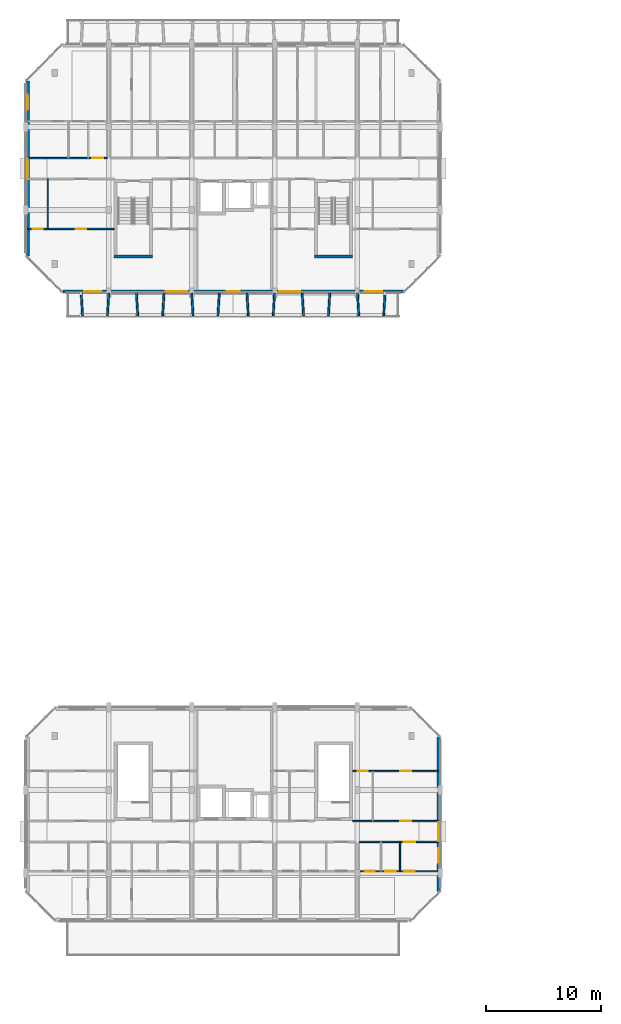
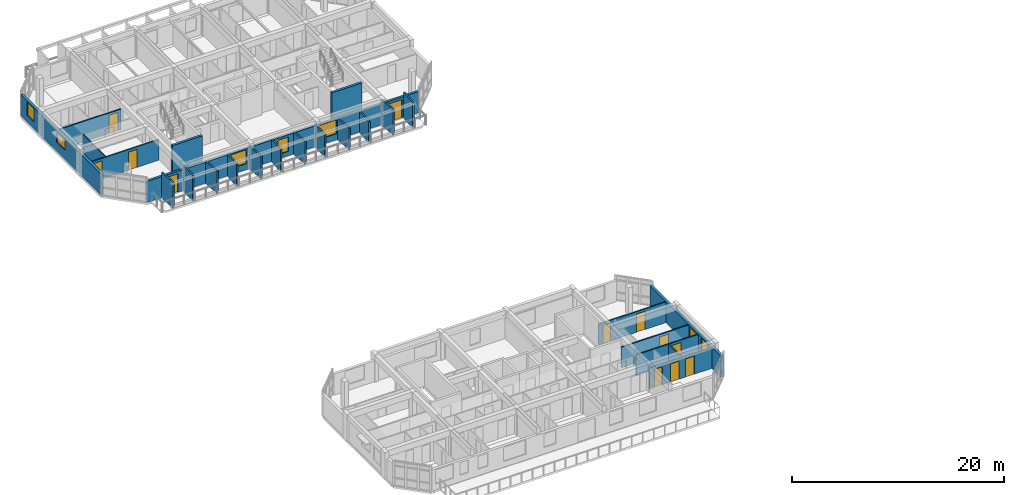
# One storey, part 18 of 40: 25 walls, 12 doors, 7 windows, 19 openings.
"""IFC4 building model written with IfcOpenShell, lengths in metres."""

from ifc_helpers import new_model, si_unit, direction, frame, frame_2d, origin, place, context, subcontext, project, spatial, rectangle, extrude, material, layer, layer_set, type_object, element, fill, save


model = new_model("IFC4")

# Units and contexts
model_context = context("Model", 3, precision=1e-05, world=origin(), true_north=direction((0.0, 1.0)))
body_context = subcontext(model_context, "Body", "Model", "MODEL_VIEW")
ifc_project = project(units=[si_unit("LENGTHUNIT", "METRE"), si_unit("AREAUNIT", "SQUARE_METRE"), si_unit("VOLUMEUNIT", "CUBIC_METRE"), si_unit("PLANEANGLEUNIT", "RADIAN"), si_unit("MASSUNIT", "GRAM", prefix="KILO")], contexts=[model_context])

# Site, building, storey
site_placement = place(None, origin())
site = spatial("IfcSite", under=ifc_project, at=site_placement, CompositionType="ELEMENT")
building_placement = place(site_placement, origin())
building = spatial("IfcBuilding", under=site, at=building_placement, Name="Ochrevale Crest", CompositionType="ELEMENT")
storey_placement = place(building_placement, frame((0.0, 0.0, 27.60009765625)))
storey = spatial("IfcBuildingStorey", under=building, at=storey_placement, Name="L08", CompositionType="ELEMENT", Elevation=27.60009765625)

# Wall, opening, door
ifc_material_1 = material(Name="Gypsum plasterboard", Category="gypsum")
ifc_layer_1 = layer(ifc_material_1, 0.139892578125)
ifc_layer_set_1 = layer_set([ifc_layer_1], Name="Gypsum plasterboard")
wall_type_1 = type_object("IfcWallType", Name="WL-COR-140", PredefinedType="PARTITIONING", material=ifc_layer_set_1)
wall_1_placement = place(storey_placement, frame((28.93994140625, 24.300048828125, 0.0), z_axis=(0.0, 0.0, 1.0), x_axis=(1.0, 0.0, 0.0)))
wall_1 = element("IfcWall", 1, at=wall_1_placement, inside=storey, type_object=wall_type_1, Name="Apartment A-L08-U5 corridor wall", PredefinedType="PARTITIONING", context=body_context, shape_type="SweptSolid", body=[
    extrude(rectangle(XDim=6.920166015625, YDim=0.139892578125, at=frame_2d((3.4599609375, 0.0))), origin(), (0.0, 0.0, 1.0), 2.3798828125),
])
opening_1_placement = place(wall_1_placement, frame((4.875, 0.0, 0.0), z_axis=(0.0, 0.0, 1.0), x_axis=(-1.0, 0.0, 0.0)))
opening_1 = element("IfcOpeningElement", 2, at=opening_1_placement, cuts=wall_1, Name="Opening FD01", PredefinedType="OPENING", context=body_context, shape_type="SweptSolid", body=[
    extrude(rectangle(XDim=0.97998046875, YDim=2.10009765625, at=frame_2d((0.489990234375, 1.050048828125))), frame((0.0, 0.080078125, 0.0), z_axis=(0.0, -1.0, 0.0), x_axis=(1.0, 0.0, 0.0)), (0.0, 0.0, 1.0), 0.159912109375),
])
ifc_material_2 = material(Name="Solid-core FSC hardwood", Category="wood")
door_type_1 = type_object("IfcDoorType", Name="DR-APT-950", OperationType="NOTDEFINED", PredefinedType="DOOR", material=ifc_material_2)
door_1_placement = place(opening_1_placement, origin())
door_1 = element("IfcDoor", 3, at=door_1_placement, inside=storey, type_object=door_type_1, Name="Apartment A-L08-U5 entrance door", OperationType="SINGLE_SWING_RIGHT", OverallHeight=2.10009765625, OverallWidth=0.97998046875, PredefinedType="DOOR", context=body_context, shape_type="SweptSolid", body=[
    extrude(rectangle(XDim=0.97998046875, YDim=2.10009765625, at=frame_2d((0.489990234375, 1.050048828125))), frame((0.0, 0.02490234375, 0.0), z_axis=(0.0, -1.0, 0.0), x_axis=(1.0, 0.0, 0.0)), (0.0, 0.0, 1.0), 0.050048828125),
])
fill(opening_1, door_1)

wall_2_placement = place(storey_placement, frame((28.389892578125, 26.10009765625, 0.0), z_axis=(0.0, 0.0, 1.0), x_axis=(1.0, 0.0, 0.0)))
wall_2 = element("IfcWall", 4, at=wall_2_placement, inside=storey, type_object=wall_type_1, Name="Suite A-L08-CE corridor wall", PredefinedType="PARTITIONING", context=body_context, shape_type="SweptSolid", body=[
    extrude(rectangle(XDim=7.47021484375, YDim=0.139892578125, at=frame_2d((3.735107421875, 0.0))), origin(), (0.0, 0.0, 1.0), 2.3798828125),
])
opening_2_placement = place(wall_2_placement, frame((4.1201171875, 0.0, 0.0)))
opening_2 = element("IfcOpeningElement", 5, at=opening_2_placement, cuts=wall_2, Name="Opening FD01", PredefinedType="OPENING", context=body_context, shape_type="SweptSolid", body=[
    extrude(rectangle(XDim=0.97998046875, YDim=2.10009765625, at=frame_2d((0.489990234375, 1.050048828125))), frame((0.0, 0.080078125, 0.0), z_axis=(0.0, -1.0, 0.0), x_axis=(1.0, 0.0, 0.0)), (0.0, 0.0, 1.0), 0.159912109375),
])
door_2_placement = place(opening_2_placement, origin())
door_2 = element("IfcDoor", 6, at=door_2_placement, inside=storey, type_object=door_type_1, Name="Suite A-L08-CE entrance door", OperationType="SINGLE_SWING_LEFT", OverallHeight=2.10009765625, OverallWidth=0.97998046875, PredefinedType="DOOR", context=body_context, shape_type="SweptSolid", body=[
    extrude(rectangle(XDim=0.97998046875, YDim=2.10009765625, at=frame_2d((0.489990234375, 1.050048828125))), frame((0.0, 0.02490234375, 0.0), z_axis=(0.0, -1.0, 0.0), x_axis=(1.0, 0.0, 0.0)), (0.0, 0.0, 1.0), 0.050048828125),
])
fill(opening_2, door_2)

wall_3_placement = place(storey_placement, frame((0.139892578125, 83.699951171875, 0.0), z_axis=(0.0, 0.0, 1.0), x_axis=(1.0, 0.0, 0.0)))
wall_3 = element("IfcWall", 7, at=wall_3_placement, inside=storey, type_object=wall_type_1, Name="Apartment B-L08-U1 corridor wall", PredefinedType="PARTITIONING", context=body_context, shape_type="SweptSolid", body=[
    extrude(rectangle(XDim=6.920166015625, YDim=0.139892578125, at=frame_2d((3.4599609375, 0.0))), origin(), (0.0, 0.0, 1.0), 2.3798828125),
])
opening_3_placement = place(wall_3_placement, frame((5.60498046875, 0.0, 0.0)))
opening_3 = element("IfcOpeningElement", 8, at=opening_3_placement, cuts=wall_3, Name="Opening FD01", PredefinedType="OPENING", context=body_context, shape_type="SweptSolid", body=[
    extrude(rectangle(XDim=0.97998046875, YDim=2.10009765625, at=frame_2d((0.489990234375, 1.050048828125))), frame((0.0, 0.080078125, 0.0), z_axis=(0.0, -1.0, 0.0), x_axis=(1.0, 0.0, 0.0)), (0.0, 0.0, 1.0), 0.159912109375),
])
door_3_placement = place(opening_3_placement, origin())
door_3 = element("IfcDoor", 9, at=door_3_placement, inside=storey, type_object=door_type_1, Name="Apartment B-L08-U1 entrance door", OperationType="SINGLE_SWING_LEFT", OverallHeight=2.10009765625, OverallWidth=0.97998046875, PredefinedType="DOOR", context=body_context, shape_type="SweptSolid", body=[
    extrude(rectangle(XDim=0.97998046875, YDim=2.10009765625, at=frame_2d((0.489990234375, 1.050048828125))), frame((0.0, 0.02490234375, 0.0), z_axis=(0.0, -1.0, 0.0), x_axis=(1.0, 0.0, 0.0)), (0.0, 0.0, 1.0), 0.050048828125),
])
fill(opening_3, door_3)

# Walls
ifc_material_3 = material(Name="Precast concrete C50/60", Category="concrete")
ifc_layer_2 = layer(ifc_material_3, 0.2548828125)
ifc_layer_set_2 = layer_set([ifc_layer_2], Name="Precast concrete C50/60")
wall_type_2 = type_object("IfcWallType", Name="WL-CORE-255", PredefinedType="SHEAR", material=ifc_layer_set_2)
for number, where, z_axis, x_axis, name in (
    (10, (7.672607421875, 75.14990234375, 0.0), (0.0, 0.0, 1.0), (1.0, 0.0, 0.0), "Block B L08 Stair 1 precast core shear wall S"),
    (11, (25.072509765625, 75.14990234375, 0.0), (0.0, 0.0, 1.0), (1.0, 0.0, 0.0), "Block B L08 Stair 2 precast core shear wall S"),
):
    element("IfcWall", number, at=place(storey_placement, frame(where, z_axis=z_axis, x_axis=x_axis)), inside=storey, type_object=wall_type_2, Name=name, PredefinedType="SHEAR", context=body_context, shape_type="SweptSolid", body=[
        extrude(rectangle(XDim=3.304931640625, YDim=0.2548828125, at=frame_2d((1.65234375, 0.0))), origin(), (0.0, 0.0, 1.0), 3.14990234375),
    ])

# Wall, openings, windows
ifc_material_4 = material(Name="Clay face brickwork", Category="masonry")
ifc_layer_3 = layer(ifc_material_4, 0.2900390625)
ifc_layer_set_3 = layer_set([ifc_layer_3], Name="Clay face brickwork")
wall_type_3 = type_object("IfcWallType", Name="WL-EXT-BRICK-290", PredefinedType="SOLIDWALL", material=ifc_layer_set_3)
wall_4_placement = place(storey_placement, frame((35.85498046875, 20.0, 0.0), z_axis=(0.0, 0.0, 1.0), x_axis=(0.0, 1.0, 0.0)))
wall_4 = element("IfcWall", 12, at=wall_4_placement, inside=storey, type_object=wall_type_3, Name="Block A L08 external facade wall E3", PredefinedType="SOLIDWALL", context=body_context, shape_type="SweptSolid", body=[
    extrude(rectangle(XDim=13.39990234375, YDim=0.2900390625, at=frame_2d((6.699951171875, 0.0))), origin(), (0.0, 0.0, 1.0), 2.429931640625),
])
opening_4_placement = place(wall_4_placement, frame((4.375, 0.0, 1.050048828125)))
opening_4 = element("IfcOpeningElement", 13, at=opening_4_placement, cuts=wall_4, Name="Opening W19", PredefinedType="OPENING", context=body_context, shape_type="SweptSolid", body=[
    extrude(rectangle(XDim=1.64990234375, YDim=1.14990234375, at=frame_2d((0.824951171875, 0.574951171875))), frame((0.0, 0.155029296875, 0.0), z_axis=(0.0, -1.0, 0.0), x_axis=(1.0, 0.0, 0.0)), (0.0, 0.0, 1.0), 0.31005859375),
])
opening_5_placement = place(wall_4_placement, frame((2.465087890625, 0.0, 0.75)))
opening_5 = element("IfcOpeningElement", 14, at=opening_5_placement, cuts=wall_4, Name="Opening W30", PredefinedType="OPENING", context=body_context, shape_type="SweptSolid", body=[
    extrude(rectangle(XDim=1.300048828125, YDim=1.550048828125, at=frame_2d((0.64990234375, 0.77490234375))), frame((0.0, 0.155029296875, 0.0), z_axis=(0.0, -1.0, 0.0), x_axis=(1.0, 0.0, 0.0)), (0.0, 0.0, 1.0), 0.31005859375),
])
ifc_material_5 = material(Name="Anodised aluminium 6063-T5 and low-E double glazing", Category="aluminium")
window_type_1 = type_object("IfcWindowType", Name="WIN-W19", PartitioningType="SINGLE_PANEL", PredefinedType="WINDOW", material=ifc_material_5)
window_1_placement = place(opening_4_placement, origin())
window_1 = element("IfcWindow", 15, at=window_1_placement, inside=storey, type_object=window_type_1, Name="Block A L08 corridor end daylight window E", OverallHeight=1.14990234375, OverallWidth=1.64990234375, PartitioningType="SINGLE_PANEL", PredefinedType="WINDOW", context=body_context, shape_type="SweptSolid", body=[
    extrude(rectangle(XDim=1.64990234375, YDim=1.14990234375, at=frame_2d((0.824951171875, 0.574951171875))), frame((0.0, 0.030029296875, 0.0), z_axis=(0.0, -1.0, 0.0), x_axis=(1.0, 0.0, 0.0)), (0.0, 0.0, 1.0), 0.06005859375),
])
fill(opening_4, window_1)
window_type_2 = type_object("IfcWindowType", Name="WIN-W30", PartitioningType="SINGLE_PANEL", PredefinedType="WINDOW", material=ifc_material_5)
window_2_placement = place(opening_5_placement, origin())
window_2 = element("IfcWindow", 16, at=window_2_placement, inside=storey, type_object=window_type_2, Name="Block A L08 side suite window E", OverallHeight=1.550048828125, OverallWidth=1.300048828125, PartitioningType="SINGLE_PANEL", PredefinedType="WINDOW", context=body_context, shape_type="SweptSolid", body=[
    extrude(rectangle(XDim=1.300048828125, YDim=1.550048828125, at=frame_2d((0.64990234375, 0.77490234375))), frame((0.0, 0.030029296875, 0.0), z_axis=(0.0, -1.0, 0.0), x_axis=(1.0, 0.0, 0.0)), (0.0, 0.0, 1.0), 0.06005859375),
])
fill(opening_5, window_2)

wall_5_placement = place(storey_placement, frame((0.14501953125, 90.39990234375, 0.0), z_axis=(0.0, 0.0, 1.0), x_axis=(0.0, -1.0, 0.0)))
wall_5 = element("IfcWall", 17, at=wall_5_placement, inside=storey, type_object=wall_type_3, Name="Block B L08 external facade wall E7", PredefinedType="SOLIDWALL", context=body_context, shape_type="SweptSolid", body=[
    extrude(rectangle(XDim=15.199951171875, YDim=0.2900390625, at=frame_2d((7.60009765625, 0.0))), origin(), (0.0, 0.0, 1.0), 2.429931640625),
])
opening_6_placement = place(wall_5_placement, frame((6.77490234375, 0.0, 1.050048828125)))
opening_6 = element("IfcOpeningElement", 18, at=opening_6_placement, cuts=wall_5, Name="Opening W19", PredefinedType="OPENING", context=body_context, shape_type="SweptSolid", body=[
    extrude(rectangle(XDim=1.64990234375, YDim=1.14990234375, at=frame_2d((0.824951171875, 0.574951171875))), frame((0.0, 0.155029296875, 0.0), z_axis=(0.0, -1.0, 0.0), x_axis=(1.0, 0.0, 0.0)), (0.0, 0.0, 1.0), 0.31005859375),
])
opening_7_placement = place(wall_5_placement, frame((1.215087890625, 0.0, 0.75)))
opening_7 = element("IfcOpeningElement", 19, at=opening_7_placement, cuts=wall_5, Name="Opening W30", PredefinedType="OPENING", context=body_context, shape_type="SweptSolid", body=[
    extrude(rectangle(XDim=1.300048828125, YDim=1.550048828125, at=frame_2d((0.64990234375, 0.77490234375))), frame((0.0, 0.155029296875, 0.0), z_axis=(0.0, -1.0, 0.0), x_axis=(1.0, 0.0, 0.0)), (0.0, 0.0, 1.0), 0.31005859375),
])
window_3_placement = place(opening_6_placement, origin())
window_3 = element("IfcWindow", 20, at=window_3_placement, inside=storey, type_object=window_type_1, Name="Block B L08 corridor end daylight window W", OverallHeight=1.14990234375, OverallWidth=1.64990234375, PartitioningType="SINGLE_PANEL", PredefinedType="WINDOW", context=body_context, shape_type="SweptSolid", body=[
    extrude(rectangle(XDim=1.64990234375, YDim=1.14990234375, at=frame_2d((0.824951171875, 0.574951171875))), frame((0.0, 0.030029296875, 0.0), z_axis=(0.0, -1.0, 0.0), x_axis=(1.0, 0.0, 0.0)), (0.0, 0.0, 1.0), 0.06005859375),
])
fill(opening_6, window_3)
window_4_placement = place(opening_7_placement, origin())
window_4 = element("IfcWindow", 21, at=window_4_placement, inside=storey, type_object=window_type_2, Name="Block B L08 side suite window W", OverallHeight=1.550048828125, OverallWidth=1.300048828125, PartitioningType="SINGLE_PANEL", PredefinedType="WINDOW", context=body_context, shape_type="SweptSolid", body=[
    extrude(rectangle(XDim=1.300048828125, YDim=1.550048828125, at=frame_2d((0.64990234375, 0.77490234375))), frame((0.0, 0.030029296875, 0.0), z_axis=(0.0, -1.0, 0.0), x_axis=(1.0, 0.0, 0.0)), (0.0, 0.0, 1.0), 0.06005859375),
])
fill(opening_7, window_4)

# Wall, openings, doors, windows
ifc_material_6 = material(Name="Precast concrete C40/50", Category="concrete")
ifc_layer_4 = layer(ifc_material_6, 0.25)
ifc_layer_set_4 = layer_set([ifc_layer_4], Name="Precast concrete C40/50")
wall_type_4 = type_object("IfcWallType", Name="WL-EXT-GOLD-250", PredefinedType="SOLIDWALL", material=ifc_layer_set_4)
wall_6_placement = place(storey_placement, frame((3.199951171875, 72.125, 0.0), z_axis=(0.0, 0.0, 1.0), x_axis=(1.0, 0.0, 0.0)))
wall_6 = element("IfcWall", 22, at=wall_6_placement, inside=storey, type_object=wall_type_4, Name="Block B L08 external facade wall E1", PredefinedType="SOLIDWALL", context=body_context, shape_type="SweptSolid", body=[
    extrude(rectangle(XDim=29.60009765625, YDim=0.25, at=frame_2d((14.800048828125, 0.0))), origin(), (0.0, 0.0, 1.0), 2.429931640625),
])
opening_8_placement = place(wall_6_placement, frame((3.35009765625, 0.0, 0.0), z_axis=(0.0, 0.0, 1.0), x_axis=(-1.0, 0.0, 0.0)))
opening_8 = element("IfcOpeningElement", 23, at=opening_8_placement, cuts=wall_6, Name="Opening BD01", PredefinedType="OPENING", context=body_context, shape_type="SweptSolid", body=[
    extrude(rectangle(XDim=1.5, YDim=2.14990234375, at=frame_2d((0.75, 1.074951171875))), frame((0.0, 0.135009765625, 0.0), z_axis=(0.0, -1.0, 0.0), x_axis=(1.0, 0.0, 0.0)), (0.0, 0.0, 1.0), 0.27001953125),
])
opening_9_placement = place(wall_6_placement, frame((27.75, 0.0, 0.0), z_axis=(0.0, 0.0, 1.0), x_axis=(-1.0, 0.0, 0.0)))
opening_9 = element("IfcOpeningElement", 24, at=opening_9_placement, cuts=wall_6, Name="Opening BD01", PredefinedType="OPENING", context=body_context, shape_type="SweptSolid", body=[
    extrude(rectangle(XDim=1.5, YDim=2.14990234375, at=frame_2d((0.75, 1.074951171875))), frame((0.0, 0.135009765625, 0.0), z_axis=(0.0, -1.0, 0.0), x_axis=(1.0, 0.0, 0.0)), (0.0, 0.0, 1.0), 0.27001953125),
])
opening_10_placement = place(wall_6_placement, frame((14.22509765625, 0.0, 0.5)))
opening_10 = element("IfcOpeningElement", 25, at=opening_10_placement, cuts=wall_6, Name="Opening W32", PredefinedType="OPENING", context=body_context, shape_type="SweptSolid", body=[
    extrude(rectangle(XDim=1.14990234375, YDim=1.679931640625, at=frame_2d((0.574951171875, 0.83984375))), frame((0.0, 0.135009765625, 0.0), z_axis=(0.0, -1.0, 0.0), x_axis=(1.0, 0.0, 0.0)), (0.0, 0.0, 1.0), 0.27001953125),
])
opening_11_placement = place(wall_6_placement, frame((18.7900390625, 0.0, 0.699951171875)))
opening_11 = element("IfcOpeningElement", 26, at=opening_11_placement, cuts=wall_6, Name="Opening W11", PredefinedType="OPENING", context=body_context, shape_type="SweptSolid", body=[
    extrude(rectangle(XDim=1.860107421875, YDim=1.60009765625, at=frame_2d((0.93017578125, 0.800048828125))), frame((0.0, 0.135009765625, 0.0), z_axis=(0.0, -1.0, 0.0), x_axis=(1.0, 0.0, 0.0)), (0.0, 0.0, 1.0), 0.27001953125),
])
opening_12_placement = place(wall_6_placement, frame((8.949951171875, 0.0, 0.699951171875)))
opening_12 = element("IfcOpeningElement", 27, at=opening_12_placement, cuts=wall_6, Name="Opening W11", PredefinedType="OPENING", context=body_context, shape_type="SweptSolid", body=[
    extrude(rectangle(XDim=1.860107421875, YDim=1.60009765625, at=frame_2d((0.93017578125, 0.800048828125))), frame((0.0, 0.135009765625, 0.0), z_axis=(0.0, -1.0, 0.0), x_axis=(1.0, 0.0, 0.0)), (0.0, 0.0, 1.0), 0.27001953125),
])
ifc_material_7 = material(Name="Anodised aluminium 6063-T5 and toughened glass", Category="aluminium")
door_type_2 = type_object("IfcDoorType", Name="DR-BAL-1500", OperationType="NOTDEFINED", PredefinedType="DOOR", material=ifc_material_7)
door_4_placement = place(opening_8_placement, origin())
door_4 = element("IfcDoor", 28, at=door_4_placement, inside=storey, type_object=door_type_2, Name="Block B L08 balcony door S1", OperationType="SINGLE_SWING_RIGHT", OverallHeight=2.14990234375, OverallWidth=1.5, PredefinedType="DOOR", context=body_context, shape_type="SweptSolid", body=[
    extrude(rectangle(XDim=1.5, YDim=2.14990234375, at=frame_2d((0.75, 1.074951171875))), frame((0.0, 0.02490234375, 0.0), z_axis=(0.0, -1.0, 0.0), x_axis=(1.0, 0.0, 0.0)), (0.0, 0.0, 1.0), 0.050048828125),
])
fill(opening_8, door_4)
door_5_placement = place(opening_9_placement, origin())
door_5 = element("IfcDoor", 29, at=door_5_placement, inside=storey, type_object=door_type_2, Name="Block B L08 balcony door S5", OperationType="SINGLE_SWING_LEFT", OverallHeight=2.14990234375, OverallWidth=1.5, PredefinedType="DOOR", context=body_context, shape_type="SweptSolid", body=[
    extrude(rectangle(XDim=1.5, YDim=2.14990234375, at=frame_2d((0.75, 1.074951171875))), frame((0.0, 0.02490234375, 0.0), z_axis=(0.0, -1.0, 0.0), x_axis=(1.0, 0.0, 0.0)), (0.0, 0.0, 1.0), 0.050048828125),
])
fill(opening_9, door_5)
window_type_3 = type_object("IfcWindowType", Name="WIN-W11", PartitioningType="SINGLE_PANEL", PredefinedType="WINDOW", material=ifc_material_5)
window_5_placement = place(opening_11_placement, origin())
window_5 = element("IfcWindow", 30, at=window_5_placement, inside=storey, type_object=window_type_3, Name="Block B L08 Suite B-L08-ME Garden Alcove Studio window", OverallHeight=1.60009765625, OverallWidth=1.860107421875, PartitioningType="SINGLE_PANEL", PredefinedType="WINDOW", context=body_context, shape_type="SweptSolid", body=[
    extrude(rectangle(XDim=1.860107421875, YDim=1.60009765625, at=frame_2d((0.93017578125, 0.800048828125))), frame((0.0, 0.030029296875, 0.0), z_axis=(0.0, -1.0, 0.0), x_axis=(1.0, 0.0, 0.0)), (0.0, 0.0, 1.0), 0.06005859375),
])
fill(opening_11, window_5)
window_6_placement = place(opening_12_placement, origin())
window_6 = element("IfcWindow", 31, at=window_6_placement, inside=storey, type_object=window_type_3, Name="Block B L08 Suite B-L08-MW Courtyard Studio Living window", OverallHeight=1.60009765625, OverallWidth=1.860107421875, PartitioningType="SINGLE_PANEL", PredefinedType="WINDOW", context=body_context, shape_type="SweptSolid", body=[
    extrude(rectangle(XDim=1.860107421875, YDim=1.60009765625, at=frame_2d((0.93017578125, 0.800048828125))), frame((0.0, 0.030029296875, 0.0), z_axis=(0.0, -1.0, 0.0), x_axis=(1.0, 0.0, 0.0)), (0.0, 0.0, 1.0), 0.06005859375),
])
fill(opening_12, window_6)
window_type_4 = type_object("IfcWindowType", Name="WIN-W32", PartitioningType="SINGLE_PANEL", PredefinedType="WINDOW", material=ifc_material_5)
window_7_placement = place(opening_10_placement, origin())
window_7 = element("IfcWindow", 32, at=window_7_placement, inside=storey, type_object=window_type_4, Name="Block B L08 core lancet window", OverallHeight=1.679931640625, OverallWidth=1.14990234375, PartitioningType="SINGLE_PANEL", PredefinedType="WINDOW", context=body_context, shape_type="SweptSolid", body=[
    extrude(rectangle(XDim=1.14990234375, YDim=1.679931640625, at=frame_2d((0.574951171875, 0.83984375))), frame((0.0, 0.030029296875, 0.0), z_axis=(0.0, -1.0, 0.0), x_axis=(1.0, 0.0, 0.0)), (0.0, 0.0, 1.0), 0.06005859375),
])
fill(opening_10, window_7)

# Walls
ifc_layer_5 = layer(ifc_material_6, 0.1650390625)
ifc_layer_set_5 = layer_set([ifc_layer_5], Name="Precast concrete C40/50")
wall_type_5 = type_object("IfcWallType", Name="WL-HC-CHEEK-165", PredefinedType="ELEMENTEDWALL", material=ifc_layer_set_5)
for number, where, z_axis, x_axis, name in (
    (33, (4.800048828125, 71.97998046875, 0.0), (0.0, 0.0, 1.0), (0.061046865508, -0.998134900808, 0.0), "Block B L08 S precast honeycomb cheek 1"),
    (34, (7.199951171875, 71.97998046875, 0.0), (0.0, 0.0, 1.0), (-0.061046865508, -0.998134900808, 0.0), "Block B L08 S precast honeycomb cheek 2"),
):
    element("IfcWall", number, at=place(storey_placement, frame(where, z_axis=z_axis, x_axis=x_axis)), inside=storey, type_object=wall_type_5, Name=name, PredefinedType="ELEMENTEDWALL", context=body_context, shape_type="SweptSolid", body=[
        extrude(rectangle(XDim=1.963623046875, YDim=0.1650390625, at=frame_2d((0.98193359375, 0.0))), origin(), (0.0, 0.0, 1.0), 2.949951171875),
    ])
for number, where, z_axis, x_axis, name in (
    (35, (9.60009765625, 71.97998046875, 0.0), (0.0, 0.0, 1.0), (0.061046865508, -0.998134900808, 0.0), "Block B L08 S precast honeycomb cheek 3"),
    (36, (12.0, 71.97998046875, 0.0), (0.0, 0.0, 1.0), (-0.061170732449, -0.998127317276, 0.0), "Block B L08 S precast honeycomb cheek 4"),
):
    element("IfcWall", number, at=place(storey_placement, frame(where, z_axis=z_axis, x_axis=x_axis)), inside=storey, type_object=wall_type_5, Name=name, PredefinedType="ELEMENTEDWALL", context=body_context, shape_type="SweptSolid", body=[
        extrude(rectangle(XDim=1.963623046875, YDim=0.1650390625, at=frame_2d((0.98193359375, 0.0))), origin(), (0.0, 0.0, 1.0), 2.5498046875),
    ])
for number, where, z_axis, x_axis, name in (
    (37, (14.39990234375, 71.97998046875, 0.0), (0.0, 0.0, 1.0), (0.061170732449, -0.998127317276, 0.0), "Block B L08 S precast honeycomb cheek 5"),
    (38, (16.800048828125, 71.97998046875, 0.0), (0.0, 0.0, 1.0), (-0.061170732449, -0.998127317276, 0.0), "Block B L08 S precast honeycomb cheek 6"),
    (39, (19.199951171875, 71.97998046875, 0.0), (0.0, 0.0, 1.0), (0.061170732449, -0.998127317276, 0.0), "Block B L08 S precast honeycomb cheek 7"),
    (40, (21.60009765625, 71.97998046875, 0.0), (0.0, 0.0, 1.0), (-0.061170732449, -0.998127317276, 0.0), "Block B L08 S precast honeycomb cheek 8"),
):
    element("IfcWall", number, at=place(storey_placement, frame(where, z_axis=z_axis, x_axis=x_axis)), inside=storey, type_object=wall_type_5, Name=name, PredefinedType="ELEMENTEDWALL", context=body_context, shape_type="SweptSolid", body=[
        extrude(rectangle(XDim=1.963623046875, YDim=0.1650390625, at=frame_2d((0.98193359375, 0.0))), origin(), (0.0, 0.0, 1.0), 2.579833984375),
    ])
for number, where, z_axis, x_axis, name in (
    (41, (24.0, 71.97998046875, 0.0), (0.0, 0.0, 1.0), (0.061170732449, -0.998127317276, 0.0), "Block B L08 S precast honeycomb cheek 9"),
    (42, (26.39990234375, 71.97998046875, 0.0), (0.0, 0.0, 1.0), (-0.061046865508, -0.998134900808, 0.0), "Block B L08 S precast honeycomb cheek 10"),
):
    element("IfcWall", number, at=place(storey_placement, frame(where, z_axis=z_axis, x_axis=x_axis)), inside=storey, type_object=wall_type_5, Name=name, PredefinedType="ELEMENTEDWALL", context=body_context, shape_type="SweptSolid", body=[
        extrude(rectangle(XDim=1.963623046875, YDim=0.1650390625, at=frame_2d((0.98193359375, 0.0))), origin(), (0.0, 0.0, 1.0), 2.449951171875),
    ])
for number, where, z_axis, x_axis, name in (
    (43, (28.800048828125, 71.97998046875, 0.0), (0.0, 0.0, 1.0), (0.061046865508, -0.998134900808, 0.0), "Block B L08 S precast honeycomb cheek 11"),
    (44, (31.199951171875, 71.97998046875, 0.0), (0.0, 0.0, 1.0), (-0.061046865508, -0.998134900808, 0.0), "Block B L08 S precast honeycomb cheek 12"),
):
    element("IfcWall", number, at=place(storey_placement, frame(where, z_axis=z_axis, x_axis=x_axis)), inside=storey, type_object=wall_type_5, Name=name, PredefinedType="ELEMENTEDWALL", context=body_context, shape_type="SweptSolid", body=[
        extrude(rectangle(XDim=1.963623046875, YDim=0.1650390625, at=frame_2d((0.98193359375, 0.0))), origin(), (0.0, 0.0, 1.0), 2.949951171875),
    ])
ifc_layer_6 = layer(ifc_material_1, 0.1201171875)
ifc_layer_set_6 = layer_set([ifc_layer_6], Name="Gypsum plasterboard")
wall_type_6 = type_object("IfcWallType", Name="WL-PART-120", PredefinedType="PARTITIONING", material=ifc_layer_set_6)
wall_7_placement = place(storey_placement, frame((32.5, 21.75, 0.0), z_axis=(0.0, 0.0, 1.0), x_axis=(0.0, 1.0, 0.0)))
element("IfcWall", 45, at=wall_7_placement, inside=storey, type_object=wall_type_6, Name="Apartment A-L08-U5 kitchen-foyer wall", PredefinedType="PARTITIONING", context=body_context, shape_type="SweptSolid", body=[
    extrude(rectangle(XDim=2.550048828125, YDim=0.1201171875, at=frame_2d((1.27490234375, 0.0))), origin(), (0.0, 0.0, 1.0), 2.3798828125),
])

# Wall, openings, doors
wall_8_placement = place(storey_placement, frame((28.93994140625, 21.75, 0.0), z_axis=(0.0, 0.0, 1.0), x_axis=(1.0, 0.0, 0.0)))
wall_8 = element("IfcWall", 46, at=wall_8_placement, inside=storey, type_object=wall_type_6, Name="Apartment A-L08-U5 central partition", PredefinedType="PARTITIONING", context=body_context, shape_type="SweptSolid", body=[
    extrude(rectangle(XDim=6.920166015625, YDim=0.1201171875, at=frame_2d((3.4599609375, 0.0))), origin(), (0.0, 0.0, 1.0), 2.3798828125),
])
opening_13_placement = place(wall_8_placement, frame((0.530029296875, 0.0, 0.0)))
opening_13 = element("IfcOpeningElement", 47, at=opening_13_placement, cuts=wall_8, Name="Opening ID01", PredefinedType="OPENING", context=body_context, shape_type="SweptSolid", body=[
    extrude(rectangle(XDim=0.85009765625, YDim=2.080078125, at=frame_2d((0.425048828125, 1.0400390625))), frame((0.0, 0.070068359375, 0.0), z_axis=(0.0, -1.0, 0.0), x_axis=(1.0, 0.0, 0.0)), (0.0, 0.0, 1.0), 0.14013671875),
])
opening_14_placement = place(wall_8_placement, frame((3.184814453125, 0.0, 0.0), z_axis=(0.0, 0.0, 1.0), x_axis=(-1.0, 0.0, 0.0)))
opening_14 = element("IfcOpeningElement", 48, at=opening_14_placement, cuts=wall_8, Name="Opening ID02", PredefinedType="OPENING", context=body_context, shape_type="SweptSolid", body=[
    extrude(rectangle(XDim=0.89990234375, YDim=2.080078125, at=frame_2d((0.449951171875, 1.0400390625))), frame((0.0, 0.070068359375, 0.0), z_axis=(0.0, -1.0, 0.0), x_axis=(1.0, 0.0, 0.0)), (0.0, 0.0, 1.0), 0.14013671875),
])
opening_15_placement = place(wall_8_placement, frame((3.909912109375, 0.0, 0.0)))
opening_15 = element("IfcOpeningElement", 49, at=opening_15_placement, cuts=wall_8, Name="Opening ID06", PredefinedType="OPENING", context=body_context, shape_type="SweptSolid", body=[
    extrude(rectangle(XDim=0.949951171875, YDim=2.080078125, at=frame_2d((0.47509765625, 1.0400390625))), frame((0.0, 0.070068359375, 0.0), z_axis=(0.0, -1.0, 0.0), x_axis=(1.0, 0.0, 0.0)), (0.0, 0.0, 1.0), 0.14013671875),
])
door_type_3 = type_object("IfcDoorType", Name="DR-INT-900", OperationType="NOTDEFINED", PredefinedType="DOOR", material=ifc_material_2)
door_6_placement = place(opening_14_placement, origin())
door_6 = element("IfcDoor", 50, at=door_6_placement, inside=storey, type_object=door_type_3, Name="Apartment A-L08-U5 Kitchen door", OperationType="SINGLE_SWING_RIGHT", OverallHeight=2.080078125, OverallWidth=0.89990234375, PredefinedType="DOOR", context=body_context, shape_type="SweptSolid", body=[
    extrude(rectangle(XDim=0.89990234375, YDim=2.080078125, at=frame_2d((0.449951171875, 1.0400390625))), frame((0.0, 0.02490234375, 0.0), z_axis=(0.0, -1.0, 0.0), x_axis=(1.0, 0.0, 0.0)), (0.0, 0.0, 1.0), 0.050048828125),
])
fill(opening_14, door_6)
door_type_4 = type_object("IfcDoorType", Name="DR-INT-950", OperationType="NOTDEFINED", PredefinedType="DOOR", material=ifc_material_2)
door_7_placement = place(opening_15_placement, origin())
door_7 = element("IfcDoor", 51, at=door_7_placement, inside=storey, type_object=door_type_4, Name="Apartment A-L08-U5 Living Foyer door", OperationType="SINGLE_SWING_LEFT", OverallHeight=2.080078125, OverallWidth=0.949951171875, PredefinedType="DOOR", context=body_context, shape_type="SweptSolid", body=[
    extrude(rectangle(XDim=0.949951171875, YDim=2.080078125, at=frame_2d((0.47509765625, 1.0400390625))), frame((0.0, 0.02490234375, 0.0), z_axis=(0.0, -1.0, 0.0), x_axis=(1.0, 0.0, 0.0)), (0.0, 0.0, 1.0), 0.050048828125),
])
fill(opening_15, door_7)
door_type_5 = type_object("IfcDoorType", Name="DR-WC-850", OperationType="NOTDEFINED", PredefinedType="DOOR", material=ifc_material_2)
door_8_placement = place(opening_13_placement, origin())
door_8 = element("IfcDoor", 52, at=door_8_placement, inside=storey, type_object=door_type_5, Name="Apartment A-L08-U5 Bathroom door", OperationType="SINGLE_SWING_LEFT", OverallHeight=2.080078125, OverallWidth=0.85009765625, PredefinedType="DOOR", context=body_context, shape_type="SweptSolid", body=[
    extrude(rectangle(XDim=0.85009765625, YDim=2.080078125, at=frame_2d((0.425048828125, 1.0400390625))), frame((0.0, 0.02490234375, 0.0), z_axis=(0.0, -1.0, 0.0), x_axis=(1.0, 0.0, 0.0)), (0.0, 0.0, 1.0), 0.050048828125),
])
fill(opening_13, door_8)

wall_9_placement = place(storey_placement, frame((28.389892578125, 30.449951171875, 0.0), z_axis=(0.0, 0.0, 1.0), x_axis=(1.0, 0.0, 0.0)))
wall_9 = element("IfcWall", 53, at=wall_9_placement, inside=storey, type_object=wall_type_6, Name="Suite A-L08-CE internal wall", PredefinedType="PARTITIONING", context=body_context, shape_type="SweptSolid", body=[
    extrude(rectangle(XDim=7.47021484375, YDim=0.1201171875, at=frame_2d((3.735107421875, 0.0))), origin(), (0.0, 0.0, 1.0), 2.3798828125),
])
opening_16_placement = place(wall_9_placement, frame((1.300048828125, 0.0, 0.0), z_axis=(0.0, 0.0, 1.0), x_axis=(-1.0, 0.0, 0.0)))
opening_16 = element("IfcOpeningElement", 54, at=opening_16_placement, cuts=wall_9, Name="Opening ID01", PredefinedType="OPENING", context=body_context, shape_type="SweptSolid", body=[
    extrude(rectangle(XDim=0.85009765625, YDim=2.080078125, at=frame_2d((0.425048828125, 1.0400390625))), frame((0.0, 0.070068359375, 0.0), z_axis=(0.0, -1.0, 0.0), x_axis=(1.0, 0.0, 0.0)), (0.0, 0.0, 1.0), 0.14013671875),
])
opening_17_placement = place(wall_9_placement, frame((4.14990234375, 0.0, 0.0)))
opening_17 = element("IfcOpeningElement", 55, at=opening_17_placement, cuts=wall_9, Name="Opening ID04", PredefinedType="OPENING", context=body_context, shape_type="SweptSolid", body=[
    extrude(rectangle(XDim=0.919921875, YDim=2.080078125, at=frame_2d((0.4599609375, 1.0400390625))), frame((0.0, 0.070068359375, 0.0), z_axis=(0.0, -1.0, 0.0), x_axis=(1.0, 0.0, 0.0)), (0.0, 0.0, 1.0), 0.14013671875),
])
door_type_6 = type_object("IfcDoorType", Name="DR-INT-920", OperationType="NOTDEFINED", PredefinedType="DOOR", material=ifc_material_2)
door_9_placement = place(opening_17_placement, origin())
door_9 = element("IfcDoor", 56, at=door_9_placement, inside=storey, type_object=door_type_6, Name="Suite A-L08-CE Master Bedroom door", OperationType="SINGLE_SWING_LEFT", OverallHeight=2.080078125, OverallWidth=0.919921875, PredefinedType="DOOR", context=body_context, shape_type="SweptSolid", body=[
    extrude(rectangle(XDim=0.919921875, YDim=2.080078125, at=frame_2d((0.4599609375, 1.0400390625))), frame((0.0, 0.02490234375, 0.0), z_axis=(0.0, -1.0, 0.0), x_axis=(1.0, 0.0, 0.0)), (0.0, 0.0, 1.0), 0.050048828125),
])
fill(opening_17, door_9)
door_10_placement = place(opening_16_placement, origin())
door_10 = element("IfcDoor", 57, at=door_10_placement, inside=storey, type_object=door_type_5, Name="Suite A-L08-CE Bathroom door", OperationType="SINGLE_SWING_RIGHT", OverallHeight=2.080078125, OverallWidth=0.85009765625, PredefinedType="DOOR", context=body_context, shape_type="SweptSolid", body=[
    extrude(rectangle(XDim=0.85009765625, YDim=2.080078125, at=frame_2d((0.425048828125, 1.0400390625))), frame((0.0, 0.02490234375, 0.0), z_axis=(0.0, -1.0, 0.0), x_axis=(1.0, 0.0, 0.0)), (0.0, 0.0, 1.0), 0.050048828125),
])
fill(opening_16, door_10)

wall_10_placement = place(storey_placement, frame((0.139892578125, 77.550048828125, 0.0), z_axis=(0.0, 0.0, 1.0), x_axis=(1.0, 0.0, 0.0)))
wall_10 = element("IfcWall", 58, at=wall_10_placement, inside=storey, type_object=wall_type_6, Name="Suite B-L08-CW internal wall", PredefinedType="PARTITIONING", context=body_context, shape_type="SweptSolid", body=[
    extrude(rectangle(XDim=7.52001953125, YDim=0.1201171875, at=frame_2d((3.760009765625, 0.0))), origin(), (0.0, 0.0, 1.0), 2.3798828125),
])
opening_18_placement = place(wall_10_placement, frame((1.300048828125, 0.0, 0.0), z_axis=(0.0, 0.0, 1.0), x_axis=(-1.0, 0.0, 0.0)))
opening_18 = element("IfcOpeningElement", 59, at=opening_18_placement, cuts=wall_10, Name="Opening ID01", PredefinedType="OPENING", context=body_context, shape_type="SweptSolid", body=[
    extrude(rectangle(XDim=0.85009765625, YDim=2.080078125, at=frame_2d((0.425048828125, 1.0400390625))), frame((0.0, 0.070068359375, 0.0), z_axis=(0.0, -1.0, 0.0), x_axis=(1.0, 0.0, 0.0)), (0.0, 0.0, 1.0), 0.14013671875),
])
opening_19_placement = place(wall_10_placement, frame((4.175048828125, 0.0, 0.0)))
opening_19 = element("IfcOpeningElement", 60, at=opening_19_placement, cuts=wall_10, Name="Opening ID04", PredefinedType="OPENING", context=body_context, shape_type="SweptSolid", body=[
    extrude(rectangle(XDim=0.919921875, YDim=2.080078125, at=frame_2d((0.4599609375, 1.0400390625))), frame((0.0, 0.070068359375, 0.0), z_axis=(0.0, -1.0, 0.0), x_axis=(1.0, 0.0, 0.0)), (0.0, 0.0, 1.0), 0.14013671875),
])
door_11_placement = place(opening_19_placement, origin())
door_11 = element("IfcDoor", 61, at=door_11_placement, inside=storey, type_object=door_type_6, Name="Suite B-L08-CW Garden Alcove Studio door", OperationType="SINGLE_SWING_LEFT", OverallHeight=2.080078125, OverallWidth=0.919921875, PredefinedType="DOOR", context=body_context, shape_type="SweptSolid", body=[
    extrude(rectangle(XDim=0.919921875, YDim=2.080078125, at=frame_2d((0.4599609375, 1.0400390625))), frame((0.0, 0.02490234375, 0.0), z_axis=(0.0, -1.0, 0.0), x_axis=(1.0, 0.0, 0.0)), (0.0, 0.0, 1.0), 0.050048828125),
])
fill(opening_19, door_11)
door_12_placement = place(opening_18_placement, origin())
door_12 = element("IfcDoor", 62, at=door_12_placement, inside=storey, type_object=door_type_5, Name="Suite B-L08-CW Bathroom door", OperationType="SINGLE_SWING_RIGHT", OverallHeight=2.080078125, OverallWidth=0.85009765625, PredefinedType="DOOR", context=body_context, shape_type="SweptSolid", body=[
    extrude(rectangle(XDim=0.85009765625, YDim=2.080078125, at=frame_2d((0.425048828125, 1.0400390625))), frame((0.0, 0.02490234375, 0.0), z_axis=(0.0, -1.0, 0.0), x_axis=(1.0, 0.0, 0.0)), (0.0, 0.0, 1.0), 0.050048828125),
])
fill(opening_18, door_12)

# Wall
ifc_layer_7 = layer(ifc_material_1, 0.10009765625)
ifc_layer_set_7 = layer_set([ifc_layer_7], Name="Gypsum plasterboard")
wall_type_7 = type_object("IfcWallType", Name="WL-WET-100", PredefinedType="PARTITIONING", material=ifc_layer_set_7)
wall_11_placement = place(storey_placement, frame((1.889892578125, 77.550048828125, 0.0), z_axis=(0.0, 0.0, 1.0), x_axis=(0.0, 1.0, 0.0)))
element("IfcWall", 63, at=wall_11_placement, inside=storey, type_object=wall_type_7, Name="Suite B-L08-CW bathroom divider", PredefinedType="PARTITIONING", context=body_context, shape_type="SweptSolid", body=[
    extrude(rectangle(XDim=4.349853515625, YDim=0.10009765625, at=frame_2d((2.1748046875, 0.0))), origin(), (0.0, 0.0, 1.0), 2.3798828125),
])

save(model, "model.ifc")
